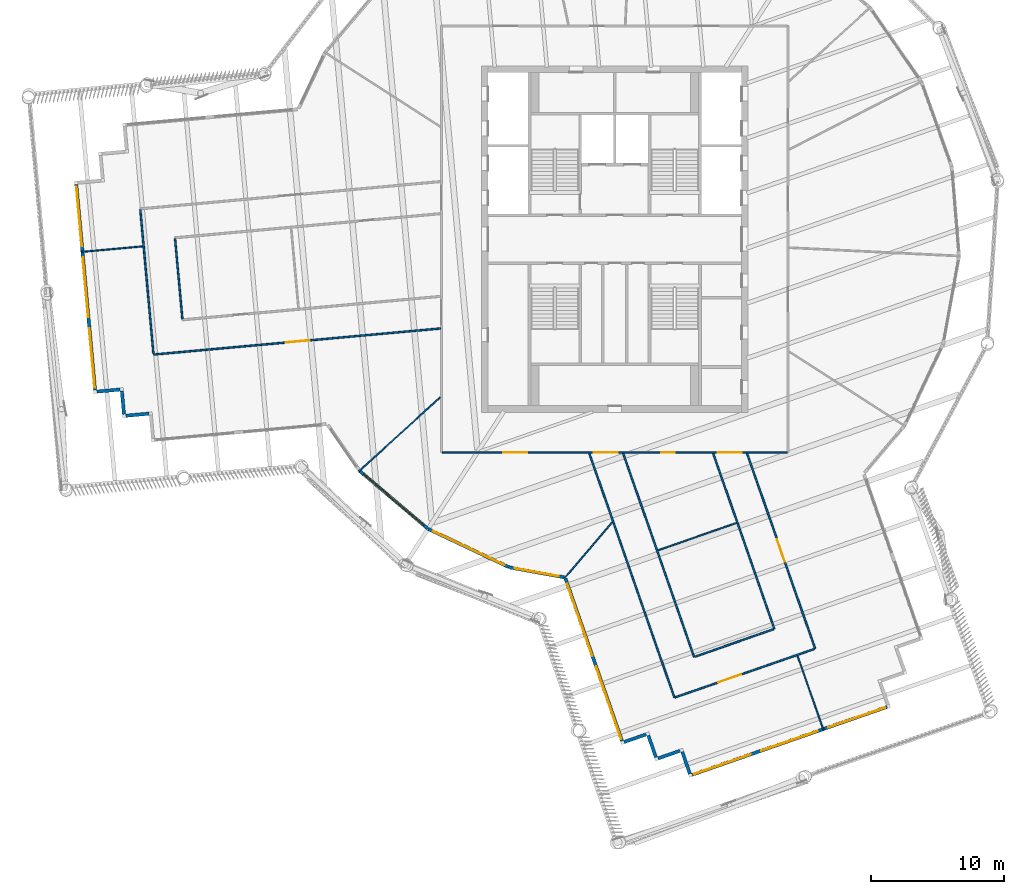
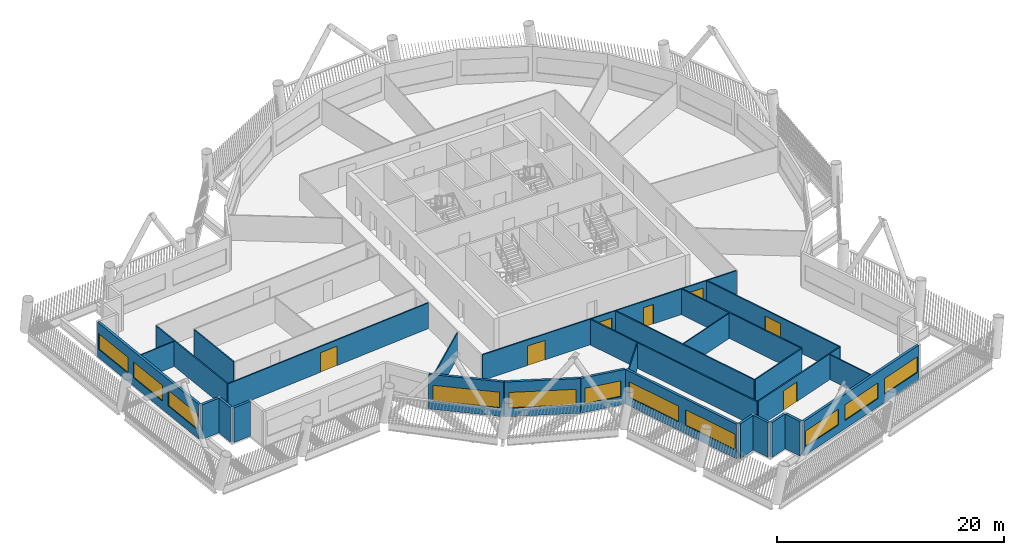
# One storey, part 3 of 23: 28 walls, 11 windows, 7 doors, 18 openings.
"""IFC4 building model written with IfcOpenShell, lengths in metres."""

from ifc_helpers import new_model, si_unit, direction, frame, frame_2d, origin, place, context, subcontext, project, spatial, rectangle, extrude, material, layer, layer_set, type_object, element, fill, save


model = new_model("IFC4")

# Units and contexts
model_context = context("Model", 3, precision=1e-05, world=origin(), true_north=direction((0.0, 1.0)))
body_context = subcontext(model_context, "Body", "Model", "MODEL_VIEW")
ifc_project = project(units=[si_unit("LENGTHUNIT", "METRE"), si_unit("AREAUNIT", "SQUARE_METRE"), si_unit("VOLUMEUNIT", "CUBIC_METRE"), si_unit("PLANEANGLEUNIT", "RADIAN"), si_unit("MASSUNIT", "GRAM", prefix="KILO")], contexts=[model_context])

# Site, building, storey
site_placement = place(None, origin())
site = spatial("IfcSite", under=ifc_project, at=site_placement, CompositionType="ELEMENT")
building_placement = place(site_placement, origin())
building = spatial("IfcBuilding", under=site, at=building_placement, Name="Tarsis Ring Headquarters", CompositionType="ELEMENT")
storey_placement = place(building_placement, frame((0.0, 0.0, 308.0)))
storey = spatial("IfcBuildingStorey", under=building, at=storey_placement, Name="L72", CompositionType="ELEMENT", Elevation=308.0)

# Walls
ifc_material_1 = material(Name="Gypsum board on steel studs", Category="steel")
ifc_layer_1 = layer(ifc_material_1, 0.10009765625)
ifc_layer_set_1 = layer_set([ifc_layer_1], Name="FL partition 100 unrated")
wall_type_1 = type_object("IfcWallType", Name="FL partition 100 unrated", PredefinedType="PARTITIONING", material=ifc_layer_set_1)
wall_1_placement = place(storey_placement, frame((-19.222412109375, -17.4296875, 0.0), z_axis=(0.0, 0.0, 1.0), x_axis=(0.740821402099, 0.671702054628, 0.0)))
element("IfcWall", 1, at=wall_1_placement, inside=storey, type_object=wall_type_1, Name="Partition PW3", PredefinedType="PARTITIONING", context=body_context, shape_type="SweptSolid", body=[
    extrude(rectangle(XDim=8.279296875, YDim=0.10009765625, at=frame_2d((4.1396484375, 0.0))), origin(), (0.0, 0.0, 1.0), 2.699951171875),
])
wall_2_placement = place(storey_placement, frame((3.240478515625, -23.353271484375, 0.0), z_axis=(0.0, 0.0, 1.0), x_axis=(0.944381142072, 0.328852943577, 0.0)))
element("IfcWall", 2, at=wall_2_placement, inside=storey, type_object=wall_type_1, Name="Partition PW3", PredefinedType="PARTITIONING", context=body_context, shape_type="SweptSolid", body=[
    extrude(rectangle(XDim=6.239990234375, YDim=0.10009765625, at=frame_2d((3.1201171875, 0.0))), origin(), (0.0, 0.0, 1.0), 2.699951171875),
])
wall_3_placement = place(storey_placement, frame((13.716064453125, -31.2685546875, 0.0), z_axis=(0.0, 0.0, 1.0), x_axis=(0.32886508129, -0.944376915383, 0.0)))
element("IfcWall", 3, at=wall_3_placement, inside=storey, type_object=wall_type_1, Name="Partition PW3", PredefinedType="PARTITIONING", context=body_context, shape_type="SweptSolid", body=[
    extrude(rectangle(XDim=5.909912109375, YDim=0.10009765625, at=frame_2d((2.955078125, 0.0))), origin(), (0.0, 0.0, 1.0), 2.699951171875),
])
wall_4_placement = place(storey_placement, frame((-3.770263671875, -25.433837890625, 0.0), z_axis=(0.0, 0.0, 1.0), x_axis=(0.650086136568, 0.759860523414, 0.0)))
element("IfcWall", 4, at=wall_4_placement, inside=storey, type_object=wall_type_1, Name="Partition PW3", PredefinedType="PARTITIONING", context=body_context, shape_type="SweptSolid", body=[
    extrude(rectangle(XDim=5.50439453125, YDim=0.10009765625, at=frame_2d((2.752197265625, 0.0))), origin(), (0.0, 0.0, 1.0), 2.699951171875),
])
wall_5_placement = place(storey_placement, frame((-40.027587890625, -0.9619140625, 0.0), z_axis=(0.0, 0.0, 1.0), x_axis=(0.995880202017, 0.090678681241, 0.0)))
element("IfcWall", 5, at=wall_5_placement, inside=storey, type_object=wall_type_1, Name="Partition PW3", PredefinedType="PARTITIONING", context=body_context, shape_type="SweptSolid", body=[
    extrude(rectangle(XDim=4.6201171875, YDim=0.10009765625, at=frame_2d((2.31005859375, 0.0))), origin(), (0.0, 0.0, 1.0), 2.699951171875),
])

# Wall, openings, doors
ifc_layer_2 = layer(ifc_material_1, 0.125)
ifc_layer_set_2 = layer_set([ifc_layer_2], Name="FL partition 125 EI 60 H2770")
wall_type_2 = type_object("IfcWallType", Name="FL partition 125 EI 60 H2770", PredefinedType="PARTITIONING", material=ifc_layer_set_2)
wall_6_placement = place(storey_placement, frame((-12.93994140625, -16.0, 0.0), z_axis=(0.0, 0.0, 1.0), x_axis=(1.0, 0.0, 0.0)))
wall_6 = element("IfcWall", 6, at=wall_6_placement, inside=storey, type_object=wall_type_2, Name="Partition PW1", PredefinedType="PARTITIONING", context=body_context, shape_type="SweptSolid", body=[
    extrude(rectangle(XDim=25.8798828125, YDim=0.125, at=frame_2d((12.93994140625, 0.0))), origin(), (0.0, 0.0, 1.0), 2.77001953125),
])
opening_1_placement = place(wall_6_placement, frame((4.572021484375, 0.0, 0.0)))
opening_1 = element("IfcOpeningElement", 7, at=opening_1_placement, cuts=wall_6, Name="Opening D72.11", PredefinedType="OPENING", context=body_context, shape_type="SweptSolid", body=[
    extrude(rectangle(XDim=1.800048828125, YDim=2.10009765625, at=frame_2d((0.89990234375, 1.050048828125))), frame((0.0, 0.072509765625, 0.0), z_axis=(0.0, -1.0, 0.0), x_axis=(1.0, 0.0, 0.0)), (0.0, 0.0, 1.0), 0.14501953125),
])
opening_2_placement = place(wall_6_placement, frame((16.42333984375, 0.0, 0.0)))
opening_2 = element("IfcOpeningElement", 8, at=opening_2_placement, cuts=wall_6, Name="Opening D72.14", PredefinedType="OPENING", context=body_context, shape_type="SweptSolid", body=[
    extrude(rectangle(XDim=1.0, YDim=2.10009765625, at=frame_2d((0.5, 1.050048828125))), frame((0.0, 0.072509765625, 0.0), z_axis=(0.0, -1.0, 0.0), x_axis=(1.0, 0.0, 0.0)), (0.0, 0.0, 1.0), 0.14501953125),
])
opening_3_placement = place(wall_6_placement, frame((11.375, 0.0, 0.0)))
opening_3 = element("IfcOpeningElement", 9, at=opening_3_placement, cuts=wall_6, Name="Opening D72.15", PredefinedType="OPENING", context=body_context, shape_type="SweptSolid", body=[
    extrude(rectangle(XDim=1.800048828125, YDim=2.10009765625, at=frame_2d((0.89990234375, 1.050048828125))), frame((0.0, 0.072509765625, 0.0), z_axis=(0.0, -1.0, 0.0), x_axis=(1.0, 0.0, 0.0)), (0.0, 0.0, 1.0), 0.14501953125),
])
opening_4_placement = place(wall_6_placement, frame((20.672119140625, 0.0, 0.0)))
opening_4 = element("IfcOpeningElement", 10, at=opening_4_placement, cuts=wall_6, Name="Opening D72.16", PredefinedType="OPENING", context=body_context, shape_type="SweptSolid", body=[
    extrude(rectangle(XDim=1.800048828125, YDim=2.10009765625, at=frame_2d((0.89990234375, 1.050048828125))), frame((0.0, 0.072509765625, 0.0), z_axis=(0.0, -1.0, 0.0), x_axis=(1.0, 0.0, 0.0)), (0.0, 0.0, 1.0), 0.14501953125),
])
ifc_material_2 = material(Name="Fire-rated timber door leaf in steel frame", Category="steel")
door_type_1 = type_object("IfcDoorType", Name="FL door FD60-1000", OperationType="NOTDEFINED", PredefinedType="DOOR", material=ifc_material_2)
door_1_placement = place(opening_2_placement, origin())
door_1 = element("IfcDoor", 11, at=door_1_placement, inside=storey, type_object=door_type_1, Name="Door D72.14", OperationType="SINGLE_SWING_RIGHT", OverallHeight=2.10009765625, OverallWidth=1.0, PredefinedType="DOOR", context=body_context, shape_type="SweptSolid", body=[
    extrude(rectangle(XDim=1.0, YDim=2.10009765625, at=frame_2d((0.5, 1.050048828125))), frame((0.0, 0.02490234375, 0.0), z_axis=(0.0, -1.0, 0.0), x_axis=(1.0, 0.0, 0.0)), (0.0, 0.0, 1.0), 0.050048828125),
])
fill(opening_2, door_1)
door_type_2 = type_object("IfcDoorType", Name="FL door FD60-1800", OperationType="DOUBLE_DOOR_SINGLE_SWING", PredefinedType="DOOR", material=ifc_material_2)
door_2_placement = place(opening_1_placement, origin())
door_2 = element("IfcDoor", 12, at=door_2_placement, inside=storey, type_object=door_type_2, Name="Door D72.11", OperationType="DOUBLE_DOOR_SINGLE_SWING", OverallHeight=2.10009765625, OverallWidth=1.800048828125, PredefinedType="DOOR", context=body_context, shape_type="SweptSolid", body=[
    extrude(rectangle(XDim=1.800048828125, YDim=2.10009765625, at=frame_2d((0.89990234375, 1.050048828125))), frame((0.0, 0.02490234375, 0.0), z_axis=(0.0, -1.0, 0.0), x_axis=(1.0, 0.0, 0.0)), (0.0, 0.0, 1.0), 0.050048828125),
])
fill(opening_1, door_2)
door_3_placement = place(opening_3_placement, origin())
door_3 = element("IfcDoor", 13, at=door_3_placement, inside=storey, type_object=door_type_2, Name="Door D72.15", OperationType="DOUBLE_DOOR_SINGLE_SWING", OverallHeight=2.10009765625, OverallWidth=1.800048828125, PredefinedType="DOOR", context=body_context, shape_type="SweptSolid", body=[
    extrude(rectangle(XDim=1.800048828125, YDim=2.10009765625, at=frame_2d((0.89990234375, 1.050048828125))), frame((0.0, 0.02490234375, 0.0), z_axis=(0.0, -1.0, 0.0), x_axis=(1.0, 0.0, 0.0)), (0.0, 0.0, 1.0), 0.050048828125),
])
fill(opening_3, door_3)
door_4_placement = place(opening_4_placement, origin())
door_4 = element("IfcDoor", 14, at=door_4_placement, inside=storey, type_object=door_type_2, Name="Door D72.16", OperationType="DOUBLE_DOOR_SINGLE_SWING", OverallHeight=2.10009765625, OverallWidth=1.800048828125, PredefinedType="DOOR", context=body_context, shape_type="SweptSolid", body=[
    extrude(rectangle(XDim=1.800048828125, YDim=2.10009765625, at=frame_2d((0.89990234375, 1.050048828125))), frame((0.0, 0.02490234375, 0.0), z_axis=(0.0, -1.0, 0.0), x_axis=(1.0, 0.0, 0.0)), (0.0, 0.0, 1.0), 0.050048828125),
])
fill(opening_4, door_4)

# Wall, opening, door
wall_7_placement = place(storey_placement, frame((-34.6171875, -8.6630859375, 0.0), z_axis=(0.0, 0.0, 1.0), x_axis=(0.995884600494, 0.090630361903, 0.0)))
wall_7 = element("IfcWall", 15, at=wall_7_placement, inside=storey, type_object=wall_type_2, Name="Partition PW1", PredefinedType="PARTITIONING", context=body_context, shape_type="SweptSolid", body=[
    extrude(rectangle(XDim=21.63671875, YDim=0.125, at=frame_2d((10.818359375, 0.0))), origin(), (0.0, 0.0, 1.0), 2.77001953125),
])
opening_5_placement = place(wall_7_placement, frame((9.953369140625, 0.0, 0.0)))
opening_5 = element("IfcOpeningElement", 16, at=opening_5_placement, cuts=wall_7, Name="Opening D72.01", PredefinedType="OPENING", context=body_context, shape_type="SweptSolid", body=[
    extrude(rectangle(XDim=1.800048828125, YDim=2.10009765625, at=frame_2d((0.89990234375, 1.050048828125))), frame((0.0, 0.072509765625, 0.0), z_axis=(0.0, -1.0, 0.0), x_axis=(1.0, 0.0, 0.0)), (0.0, 0.0, 1.0), 0.14501953125),
])
door_5_placement = place(opening_5_placement, origin())
door_5 = element("IfcDoor", 17, at=door_5_placement, inside=storey, type_object=door_type_2, Name="Door D72.01", OperationType="DOUBLE_DOOR_SINGLE_SWING", OverallHeight=2.10009765625, OverallWidth=1.800048828125, PredefinedType="DOOR", context=body_context, shape_type="SweptSolid", body=[
    extrude(rectangle(XDim=1.800048828125, YDim=2.10009765625, at=frame_2d((0.89990234375, 1.050048828125))), frame((0.0, 0.02490234375, 0.0), z_axis=(0.0, -1.0, 0.0), x_axis=(1.0, 0.0, 0.0)), (0.0, 0.0, 1.0), 0.050048828125),
])
fill(opening_5, door_5)

# Walls
wall_8_placement = place(storey_placement, frame((-1.909423828125, -16.07568359375, 0.0), z_axis=(0.0, 0.0, 1.0), x_axis=(0.328870275505, -0.94437510656, 0.0)))
element("IfcWall", 18, at=wall_8_placement, inside=storey, type_object=wall_type_2, Name="Partition PW1", PredefinedType="PARTITIONING", context=body_context, shape_type="SweptSolid", body=[
    extrude(rectangle(XDim=19.41650390625, YDim=0.125, at=frame_2d((9.708251953125, 0.0))), origin(), (0.0, 0.0, 1.0), 2.77001953125),
])
wall_9_placement = place(storey_placement, frame((0.6318359375, -16.07568359375, 0.0), z_axis=(0.0, 0.0, 1.0), x_axis=(0.328869394176, -0.944375413474, 0.0)))
element("IfcWall", 19, at=wall_9_placement, inside=storey, type_object=wall_type_2, Name="Partition PW1", PredefinedType="PARTITIONING", context=body_context, shape_type="SweptSolid", body=[
    extrude(rectangle(XDim=16.1806640625, YDim=0.125, at=frame_2d((8.09033203125, 0.0))), origin(), (0.0, 0.0, 1.0), 2.77001953125),
])

# Wall, opening, door
wall_10_placement = place(storey_placement, frame((9.928955078125, -16.07568359375, 0.0), z_axis=(0.0, 0.0, 1.0), x_axis=(0.328877453635, -0.944372606809, 0.0)))
wall_10 = element("IfcWall", 20, at=wall_10_placement, inside=storey, type_object=wall_type_2, Name="Partition PW1", PredefinedType="PARTITIONING", context=body_context, shape_type="SweptSolid", body=[
    extrude(rectangle(XDim=15.523193359375, YDim=0.125, at=frame_2d((7.76171875, 0.0))), origin(), (0.0, 0.0, 1.0), 2.77001953125),
])
opening_6_placement = place(wall_10_placement, frame((6.82177734375, 0.0, 0.0)))
opening_6 = element("IfcOpeningElement", 21, at=opening_6_placement, cuts=wall_10, Name="Opening D72.09", PredefinedType="OPENING", context=body_context, shape_type="SweptSolid", body=[
    extrude(rectangle(XDim=1.800048828125, YDim=2.10009765625, at=frame_2d((0.89990234375, 1.050048828125))), frame((0.0, 0.072509765625, 0.0), z_axis=(0.0, -1.0, 0.0), x_axis=(1.0, 0.0, 0.0)), (0.0, 0.0, 1.0), 0.14501953125),
])
door_6_placement = place(opening_6_placement, origin())
door_6 = element("IfcDoor", 22, at=door_6_placement, inside=storey, type_object=door_type_2, Name="Door D72.09", OperationType="DOUBLE_DOOR_SINGLE_SWING", OverallHeight=2.10009765625, OverallWidth=1.800048828125, PredefinedType="DOOR", context=body_context, shape_type="SweptSolid", body=[
    extrude(rectangle(XDim=1.800048828125, YDim=2.10009765625, at=frame_2d((0.89990234375, 1.050048828125))), frame((0.0, 0.02490234375, 0.0), z_axis=(0.0, -1.0, 0.0), x_axis=(1.0, 0.0, 0.0)), (0.0, 0.0, 1.0), 0.050048828125),
])
fill(opening_6, door_6)

# Wall
wall_11_placement = place(storey_placement, frame((7.3876953125, -16.07568359375, 0.0), z_axis=(0.0, 0.0, 1.0), x_axis=(0.328860460018, -0.944378524659, 0.0)))
element("IfcWall", 23, at=wall_11_placement, inside=storey, type_object=wall_type_2, Name="Partition PW1", PredefinedType="PARTITIONING", context=body_context, shape_type="SweptSolid", body=[
    extrude(rectangle(XDim=13.958984375, YDim=0.125, at=frame_2d((6.9794921875, 0.0))), origin(), (0.0, 0.0, 1.0), 2.77001953125),
])

# Wall, opening, door
wall_12_placement = place(storey_placement, frame((4.53271484375, -34.392333984375, 0.0), z_axis=(0.0, 0.0, 1.0), x_axis=(0.944375824678, 0.328868213367, 0.0)))
wall_12 = element("IfcWall", 24, at=wall_12_placement, inside=storey, type_object=wall_type_2, Name="Partition PW1", PredefinedType="PARTITIONING", context=body_context, shape_type="SweptSolid", body=[
    extrude(rectangle(XDim=11.059814453125, YDim=0.125, at=frame_2d((5.52978515625, 0.0))), origin(), (0.0, 0.0, 1.0), 2.77001953125),
])
opening_7_placement = place(wall_12_placement, frame((3.429931640625, 0.0, 0.0)))
opening_7 = element("IfcOpeningElement", 25, at=opening_7_placement, cuts=wall_12, Name="Opening D72.10", PredefinedType="OPENING", context=body_context, shape_type="SweptSolid", body=[
    extrude(rectangle(XDim=1.800048828125, YDim=2.10009765625, at=frame_2d((0.89990234375, 1.050048828125))), frame((0.0, 0.072509765625, 0.0), z_axis=(0.0, -1.0, 0.0), x_axis=(1.0, 0.0, 0.0)), (0.0, 0.0, 1.0), 0.14501953125),
])
door_7_placement = place(opening_7_placement, origin())
door_7 = element("IfcDoor", 26, at=door_7_placement, inside=storey, type_object=door_type_2, Name="Door D72.10", OperationType="DOUBLE_DOOR_SINGLE_SWING", OverallHeight=2.10009765625, OverallWidth=1.800048828125, PredefinedType="DOOR", context=body_context, shape_type="SweptSolid", body=[
    extrude(rectangle(XDim=1.800048828125, YDim=2.10009765625, at=frame_2d((0.89990234375, 1.050048828125))), frame((0.0, 0.02490234375, 0.0), z_axis=(0.0, -1.0, 0.0), x_axis=(1.0, 0.0, 0.0)), (0.0, 0.0, 1.0), 0.050048828125),
])
fill(opening_7, door_7)

# Walls
wall_13_placement = place(storey_placement, frame((-35.60693359375, 2.2119140625, 0.0), z_axis=(0.0, 0.0, 1.0), x_axis=(0.090618849829, -0.995885648082, 0.0)))
element("IfcWall", 27, at=wall_13_placement, inside=storey, type_object=wall_type_2, Name="Partition PW1", PredefinedType="PARTITIONING", context=body_context, shape_type="SweptSolid", body=[
    extrude(rectangle(XDim=10.860107421875, YDim=0.125, at=frame_2d((5.43017578125, 0.0))), origin(), (0.0, 0.0, 1.0), 2.77001953125),
])
wall_14_placement = place(storey_placement, frame((6.010009765625, -31.336669921875, 0.0), z_axis=(0.0, 0.0, 1.0), x_axis=(0.944366763791, 0.328894231397, 0.0)))
element("IfcWall", 28, at=wall_14_placement, inside=storey, type_object=wall_type_2, Name="Partition PW1", PredefinedType="PARTITIONING", context=body_context, shape_type="SweptSolid", body=[
    extrude(rectangle(XDim=6.259765625, YDim=0.125, at=frame_2d((3.1298828125, 0.0))), origin(), (0.0, 0.0, 1.0), 2.77001953125),
])
wall_15_placement = place(storey_placement, frame((-32.99951171875, 0.039306640625, 0.0), z_axis=(0.0, 0.0, 1.0), x_axis=(0.090648354166, -0.995882962946, 0.0)))
element("IfcWall", 29, at=wall_15_placement, inside=storey, type_object=wall_type_2, Name="Partition PW1", PredefinedType="PARTITIONING", context=body_context, shape_type="SweptSolid", body=[
    extrude(rectangle(XDim=6.059814453125, YDim=0.125, at=frame_2d((3.02978515625, 0.0))), origin(), (0.0, 0.0, 1.0), 2.77001953125),
])

# Wall, opening, window
ifc_material_3 = material(Name="Terracotta clad insulated panel wall", Category="masonry")
ifc_layer_3 = layer(ifc_material_3, 0.25)
ifc_layer_set_3 = layer_set([ifc_layer_3], Name="Facade wall terracotta panel 250")
wall_type_3 = type_object("IfcWallType", Name="Facade wall terracotta panel 250", PredefinedType="STANDARD", material=ifc_layer_set_3)
wall_16_placement = place(storey_placement, frame((-19.155029296875, -17.390625, 0.0), z_axis=(0.0, 0.0, 1.0), x_axis=(0.762679061927, -0.646777124285, 0.0)))
wall_16 = element("IfcWall", 30, at=wall_16_placement, inside=storey, type_object=wall_type_3, Name="External wall L72-03", PredefinedType="STANDARD", context=body_context, shape_type="SweptSolid", body=[
    extrude(rectangle(XDim=6.7216796875, YDim=0.25, at=frame_2d((3.36083984375, 0.0))), origin(), (0.0, 0.0, 1.0), 3.739990234375),
])
opening_8_placement = place(wall_16_placement, frame((0.3857421875, 0.0, 0.89990234375)))
opening_8 = element("IfcOpeningElement", 31, at=opening_8_placement, cuts=wall_16, Name="Opening WN07", PredefinedType="OPENING", context=body_context, shape_type="SweptSolid", body=[
    extrude(rectangle(XDim=5.949951171875, YDim=1.699951171875, at=frame_2d((2.97509765625, 0.85009765625))), frame((0.0, 0.135009765625, 0.0), z_axis=(0.0, -1.0, 0.0), x_axis=(1.0, 0.0, 0.0)), (0.0, 0.0, 1.0), 0.27001953125),
])
ifc_material_4 = material(Name="Aluminium framed double glazing", Category="aluminium")
window_type_1 = type_object("IfcWindowType", Name="Facade window 5950 x 1700", PartitioningType="SINGLE_PANEL", PredefinedType="WINDOW", material=ifc_material_4)
window_1_placement = place(opening_8_placement, origin())
window_1 = element("IfcWindow", 32, at=window_1_placement, inside=storey, type_object=window_type_1, Name="Window L72-03.1", OverallHeight=1.699951171875, OverallWidth=5.949951171875, PartitioningType="SINGLE_PANEL", PredefinedType="WINDOW", context=body_context, shape_type="SweptSolid", body=[
    extrude(rectangle(XDim=5.949951171875, YDim=1.699951171875, at=frame_2d((2.97509765625, 0.85009765625))), frame((0.0, 0.030029296875, 0.0), z_axis=(0.0, -1.0, 0.0), x_axis=(1.0, 0.0, 0.0)), (0.0, 0.0, 1.0), 0.06005859375),
])
fill(opening_8, window_1)

wall_17_placement = place(storey_placement, frame((-14.001220703125, -21.755859375, 0.0), z_axis=(0.0, 0.0, 1.0), x_axis=(0.904095485459, -0.427330496422, 0.0)))
wall_17 = element("IfcWall", 33, at=wall_17_placement, inside=storey, type_object=wall_type_3, Name="External wall L72-04", PredefinedType="STANDARD", context=body_context, shape_type="SweptSolid", body=[
    extrude(rectangle(XDim=6.721435546875, YDim=0.25, at=frame_2d((3.36083984375, 0.0))), origin(), (0.0, 0.0, 1.0), 3.739990234375),
])
opening_9_placement = place(wall_17_placement, frame((0.3857421875, 0.0, 0.89990234375)))
opening_9 = element("IfcOpeningElement", 34, at=opening_9_placement, cuts=wall_17, Name="Opening WN07", PredefinedType="OPENING", context=body_context, shape_type="SweptSolid", body=[
    extrude(rectangle(XDim=5.949951171875, YDim=1.699951171875, at=frame_2d((2.97509765625, 0.85009765625))), frame((0.0, 0.135009765625, 0.0), z_axis=(0.0, -1.0, 0.0), x_axis=(1.0, 0.0, 0.0)), (0.0, 0.0, 1.0), 0.27001953125),
])
window_2_placement = place(opening_9_placement, origin())
window_2 = element("IfcWindow", 35, at=window_2_placement, inside=storey, type_object=window_type_1, Name="Window L72-04.1", OverallHeight=1.699951171875, OverallWidth=5.949951171875, PartitioningType="SINGLE_PANEL", PredefinedType="WINDOW", context=body_context, shape_type="SweptSolid", body=[
    extrude(rectangle(XDim=5.949951171875, YDim=1.699951171875, at=frame_2d((2.97509765625, 0.85009765625))), frame((0.0, 0.030029296875, 0.0), z_axis=(0.0, -1.0, 0.0), x_axis=(1.0, 0.0, 0.0)), (0.0, 0.0, 1.0), 0.06005859375),
])
fill(opening_9, window_2)

wall_18_placement = place(storey_placement, frame((-7.893310546875, -24.63818359375, 0.0), z_axis=(0.0, 0.0, 1.0), x_axis=(0.983884000282, -0.17880792485, 0.0)))
wall_18 = element("IfcWall", 36, at=wall_18_placement, inside=storey, type_object=wall_type_3, Name="External wall L72-05", PredefinedType="STANDARD", context=body_context, shape_type="SweptSolid", body=[
    extrude(rectangle(XDim=4.157470703125, YDim=0.25, at=frame_2d((2.07861328125, 0.0))), origin(), (0.0, 0.0, 1.0), 3.739990234375),
])
opening_10_placement = place(wall_18_placement, frame((0.38720703125, 0.0, 0.89990234375)))
opening_10 = element("IfcOpeningElement", 37, at=opening_10_placement, cuts=wall_18, Name="Opening WN01", PredefinedType="OPENING", context=body_context, shape_type="SweptSolid", body=[
    extrude(rectangle(XDim=3.35009765625, YDim=1.699951171875, at=frame_2d((1.675048828125, 0.85009765625))), frame((0.0, 0.135009765625, 0.0), z_axis=(0.0, -1.0, 0.0), x_axis=(1.0, 0.0, 0.0)), (0.0, 0.0, 1.0), 0.27001953125),
])
window_type_2 = type_object("IfcWindowType", Name="Facade window 3350 x 1700", PartitioningType="SINGLE_PANEL", PredefinedType="WINDOW", material=ifc_material_4)
window_3_placement = place(opening_10_placement, origin())
window_3 = element("IfcWindow", 38, at=window_3_placement, inside=storey, type_object=window_type_2, Name="Window L72-05.1", OverallHeight=1.699951171875, OverallWidth=3.35009765625, PartitioningType="SINGLE_PANEL", PredefinedType="WINDOW", context=body_context, shape_type="SweptSolid", body=[
    extrude(rectangle(XDim=3.35009765625, YDim=1.699951171875, at=frame_2d((1.675048828125, 0.85009765625))), frame((0.0, 0.030029296875, 0.0), z_axis=(0.0, -1.0, 0.0), x_axis=(1.0, 0.0, 0.0)), (0.0, 0.0, 1.0), 0.06005859375),
])
fill(opening_10, window_3)

# Wall, openings, windows
wall_19_placement = place(storey_placement, frame((-3.70703125, -25.463623046875, 0.0), z_axis=(0.0, 0.0, 1.0), x_axis=(0.328862090247, -0.944377956963, 0.0)))
wall_19 = element("IfcWall", 39, at=wall_19_placement, inside=storey, type_object=wall_type_3, Name="External wall L72-06", PredefinedType="STANDARD", context=body_context, shape_type="SweptSolid", body=[
    extrude(rectangle(XDim=12.921875, YDim=0.25, at=frame_2d((6.4609375, 0.0))), origin(), (0.0, 0.0, 1.0), 3.739990234375),
])
opening_11_placement = place(wall_19_placement, frame((0.41796875, 0.0, 0.89990234375)))
opening_11 = element("IfcOpeningElement", 40, at=opening_11_placement, cuts=wall_19, Name="Opening WN06", PredefinedType="OPENING", context=body_context, shape_type="SweptSolid", body=[
    extrude(rectangle(XDim=5.75, YDim=1.699951171875, at=frame_2d((2.875, 0.85009765625))), frame((0.0, 0.135009765625, 0.0), z_axis=(0.0, -1.0, 0.0), x_axis=(1.0, 0.0, 0.0)), (0.0, 0.0, 1.0), 0.27001953125),
])
opening_12_placement = place(wall_19_placement, frame((7.00390625, 0.0, 0.89990234375)))
opening_12 = element("IfcOpeningElement", 41, at=opening_12_placement, cuts=wall_19, Name="Opening WN06", PredefinedType="OPENING", context=body_context, shape_type="SweptSolid", body=[
    extrude(rectangle(XDim=5.75, YDim=1.699951171875, at=frame_2d((2.875, 0.85009765625))), frame((0.0, 0.135009765625, 0.0), z_axis=(0.0, -1.0, 0.0), x_axis=(1.0, 0.0, 0.0)), (0.0, 0.0, 1.0), 0.27001953125),
])
window_type_3 = type_object("IfcWindowType", Name="Facade window 5750 x 1700", PartitioningType="SINGLE_PANEL", PredefinedType="WINDOW", material=ifc_material_4)
window_4_placement = place(opening_11_placement, origin())
window_4 = element("IfcWindow", 42, at=window_4_placement, inside=storey, type_object=window_type_3, Name="Window L72-06.1", OverallHeight=1.699951171875, OverallWidth=5.75, PartitioningType="SINGLE_PANEL", PredefinedType="WINDOW", context=body_context, shape_type="SweptSolid", body=[
    extrude(rectangle(XDim=5.75, YDim=1.699951171875, at=frame_2d((2.875, 0.85009765625))), frame((0.0, 0.030029296875, 0.0), z_axis=(0.0, -1.0, 0.0), x_axis=(1.0, 0.0, 0.0)), (0.0, 0.0, 1.0), 0.06005859375),
])
fill(opening_11, window_4)
window_5_placement = place(opening_12_placement, origin())
window_5 = element("IfcWindow", 43, at=window_5_placement, inside=storey, type_object=window_type_3, Name="Window L72-06.2", OverallHeight=1.699951171875, OverallWidth=5.75, PartitioningType="SINGLE_PANEL", PredefinedType="WINDOW", context=body_context, shape_type="SweptSolid", body=[
    extrude(rectangle(XDim=5.75, YDim=1.699951171875, at=frame_2d((2.875, 0.85009765625))), frame((0.0, 0.030029296875, 0.0), z_axis=(0.0, -1.0, 0.0), x_axis=(1.0, 0.0, 0.0)), (0.0, 0.0, 1.0), 0.06005859375),
])
fill(opening_12, window_5)

# Walls
for number, where, z_axis, x_axis, name in (
    (44, (0.70166015625, -37.74365234375, 0.0), (0.0, 0.0, 1.0), (0.944385694376, 0.328839870238, 0.0), "External wall L72-07"),
    (45, (2.513427734375, -37.2451171875, 0.0), (0.0, 0.0, 1.0), (0.328964291269, -0.944342361154, 0.0), "External wall L72-08"),
):
    element("IfcWall", number, at=place(storey_placement, frame(where, z_axis=z_axis, x_axis=x_axis)), inside=storey, type_object=wall_type_3, Name=name, PredefinedType="STANDARD", context=body_context, shape_type="SweptSolid", body=[
        extrude(rectangle(XDim=1.75, YDim=0.25, at=frame_2d((0.875, 0.0))), origin(), (0.0, 0.0, 1.0), 3.739990234375),
    ])
for number, where, z_axis, x_axis, name in (
    (46, (3.248046875, -38.974609375, 0.0), (0.0, 0.0, 1.0), (0.94440077808, 0.328796548587, 0.0), "External wall L72-09"),
    (47, (5.06005859375, -38.47607421875, 0.0), (0.0, 0.0, 1.0), (0.328796548587, -0.94440077808, 0.0), "External wall L72-10"),
):
    element("IfcWall", number, at=place(storey_placement, frame(where, z_axis=z_axis, x_axis=x_axis)), inside=storey, type_object=wall_type_3, Name=name, PredefinedType="STANDARD", context=body_context, shape_type="SweptSolid", body=[
        extrude(rectangle(XDim=1.750244140625, YDim=0.25, at=frame_2d((0.875, 0.0))), origin(), (0.0, 0.0, 1.0), 3.739990234375),
    ])

# Wall, openings, windows
wall_20_placement = place(storey_placement, frame((5.794677734375, -40.205810546875, 0.0), z_axis=(0.0, 0.0, 1.0), x_axis=(0.94437582342, 0.328868216979, 0.0)))
wall_20 = element("IfcWall", 48, at=wall_20_placement, inside=storey, type_object=wall_type_3, Name="External wall L72-11", PredefinedType="STANDARD", context=body_context, shape_type="SweptSolid", body=[
    extrude(rectangle(XDim=15.499755859375, YDim=0.25, at=frame_2d((7.75, 0.0))), origin(), (0.0, 0.0, 1.0), 3.739990234375),
])
opening_13_placement = place(wall_20_placement, frame((0.166748046875, 0.0, 0.89990234375)))
opening_13 = element("IfcOpeningElement", 49, at=opening_13_placement, cuts=wall_20, Name="Opening WN04", PredefinedType="OPENING", context=body_context, shape_type="SweptSolid", body=[
    extrude(rectangle(XDim=4.5, YDim=1.699951171875, at=frame_2d((2.25, 0.85009765625))), frame((0.0, 0.135009765625, 0.0), z_axis=(0.0, -1.0, 0.0), x_axis=(1.0, 0.0, 0.0)), (0.0, 0.0, 1.0), 0.27001953125),
])
opening_14_placement = place(wall_20_placement, frame((5.5, 0.0, 0.89990234375)))
opening_14 = element("IfcOpeningElement", 50, at=opening_14_placement, cuts=wall_20, Name="Opening WN04", PredefinedType="OPENING", context=body_context, shape_type="SweptSolid", body=[
    extrude(rectangle(XDim=4.5, YDim=1.699951171875, at=frame_2d((2.25, 0.85009765625))), frame((0.0, 0.135009765625, 0.0), z_axis=(0.0, -1.0, 0.0), x_axis=(1.0, 0.0, 0.0)), (0.0, 0.0, 1.0), 0.27001953125),
])
opening_15_placement = place(wall_20_placement, frame((10.833251953125, 0.0, 0.89990234375)))
opening_15 = element("IfcOpeningElement", 51, at=opening_15_placement, cuts=wall_20, Name="Opening WN04", PredefinedType="OPENING", context=body_context, shape_type="SweptSolid", body=[
    extrude(rectangle(XDim=4.5, YDim=1.699951171875, at=frame_2d((2.25, 0.85009765625))), frame((0.0, 0.135009765625, 0.0), z_axis=(0.0, -1.0, 0.0), x_axis=(1.0, 0.0, 0.0)), (0.0, 0.0, 1.0), 0.27001953125),
])
window_type_4 = type_object("IfcWindowType", Name="Facade window 4500 x 1700", PartitioningType="SINGLE_PANEL", PredefinedType="WINDOW", material=ifc_material_4)
window_6_placement = place(opening_13_placement, origin())
window_6 = element("IfcWindow", 52, at=window_6_placement, inside=storey, type_object=window_type_4, Name="Window L72-11.1", OverallHeight=1.699951171875, OverallWidth=4.5, PartitioningType="SINGLE_PANEL", PredefinedType="WINDOW", context=body_context, shape_type="SweptSolid", body=[
    extrude(rectangle(XDim=4.5, YDim=1.699951171875, at=frame_2d((2.25, 0.85009765625))), frame((0.0, 0.030029296875, 0.0), z_axis=(0.0, -1.0, 0.0), x_axis=(1.0, 0.0, 0.0)), (0.0, 0.0, 1.0), 0.06005859375),
])
fill(opening_13, window_6)
window_7_placement = place(opening_14_placement, origin())
window_7 = element("IfcWindow", 53, at=window_7_placement, inside=storey, type_object=window_type_4, Name="Window L72-11.2", OverallHeight=1.699951171875, OverallWidth=4.5, PartitioningType="SINGLE_PANEL", PredefinedType="WINDOW", context=body_context, shape_type="SweptSolid", body=[
    extrude(rectangle(XDim=4.5, YDim=1.699951171875, at=frame_2d((2.25, 0.85009765625))), frame((0.0, 0.030029296875, 0.0), z_axis=(0.0, -1.0, 0.0), x_axis=(1.0, 0.0, 0.0)), (0.0, 0.0, 1.0), 0.06005859375),
])
fill(opening_14, window_7)
window_8_placement = place(opening_15_placement, origin())
window_8 = element("IfcWindow", 54, at=window_8_placement, inside=storey, type_object=window_type_4, Name="Window L72-11.3", OverallHeight=1.699951171875, OverallWidth=4.5, PartitioningType="SINGLE_PANEL", PredefinedType="WINDOW", context=body_context, shape_type="SweptSolid", body=[
    extrude(rectangle(XDim=4.5, YDim=1.699951171875, at=frame_2d((2.25, 0.85009765625))), frame((0.0, 0.030029296875, 0.0), z_axis=(0.0, -1.0, 0.0), x_axis=(1.0, 0.0, 0.0)), (0.0, 0.0, 1.0), 0.06005859375),
])
fill(opening_15, window_8)

wall_21_placement = place(storey_placement, frame((-40.413330078125, 4.104248046875, 0.0), z_axis=(0.0, 0.0, 1.0), x_axis=(0.090630896787, -0.995884551817, 0.0)))
wall_21 = element("IfcWall", 55, at=wall_21_placement, inside=storey, type_object=wall_type_3, Name="External wall L72-36", PredefinedType="STANDARD", context=body_context, shape_type="SweptSolid", body=[
    extrude(rectangle(XDim=15.5, YDim=0.25, at=frame_2d((7.75, 0.0))), origin(), (0.0, 0.0, 1.0), 3.739990234375),
])
opening_16_placement = place(wall_21_placement, frame((0.166748046875, 0.0, 0.89990234375)))
opening_16 = element("IfcOpeningElement", 56, at=opening_16_placement, cuts=wall_21, Name="Opening WN04", PredefinedType="OPENING", context=body_context, shape_type="SweptSolid", body=[
    extrude(rectangle(XDim=4.5, YDim=1.699951171875, at=frame_2d((2.25, 0.85009765625))), frame((0.0, 0.135009765625, 0.0), z_axis=(0.0, -1.0, 0.0), x_axis=(1.0, 0.0, 0.0)), (0.0, 0.0, 1.0), 0.27001953125),
])
opening_17_placement = place(wall_21_placement, frame((5.5, 0.0, 0.89990234375)))
opening_17 = element("IfcOpeningElement", 57, at=opening_17_placement, cuts=wall_21, Name="Opening WN04", PredefinedType="OPENING", context=body_context, shape_type="SweptSolid", body=[
    extrude(rectangle(XDim=4.5, YDim=1.699951171875, at=frame_2d((2.25, 0.85009765625))), frame((0.0, 0.135009765625, 0.0), z_axis=(0.0, -1.0, 0.0), x_axis=(1.0, 0.0, 0.0)), (0.0, 0.0, 1.0), 0.27001953125),
])
opening_18_placement = place(wall_21_placement, frame((10.833251953125, 0.0, 0.89990234375)))
opening_18 = element("IfcOpeningElement", 58, at=opening_18_placement, cuts=wall_21, Name="Opening WN04", PredefinedType="OPENING", context=body_context, shape_type="SweptSolid", body=[
    extrude(rectangle(XDim=4.5, YDim=1.699951171875, at=frame_2d((2.25, 0.85009765625))), frame((0.0, 0.135009765625, 0.0), z_axis=(0.0, -1.0, 0.0), x_axis=(1.0, 0.0, 0.0)), (0.0, 0.0, 1.0), 0.27001953125),
])
window_9_placement = place(opening_16_placement, origin())
window_9 = element("IfcWindow", 59, at=window_9_placement, inside=storey, type_object=window_type_4, Name="Window L72-36.1", OverallHeight=1.699951171875, OverallWidth=4.5, PartitioningType="SINGLE_PANEL", PredefinedType="WINDOW", context=body_context, shape_type="SweptSolid", body=[
    extrude(rectangle(XDim=4.5, YDim=1.699951171875, at=frame_2d((2.25, 0.85009765625))), frame((0.0, 0.030029296875, 0.0), z_axis=(0.0, -1.0, 0.0), x_axis=(1.0, 0.0, 0.0)), (0.0, 0.0, 1.0), 0.06005859375),
])
fill(opening_16, window_9)
window_10_placement = place(opening_17_placement, origin())
window_10 = element("IfcWindow", 60, at=window_10_placement, inside=storey, type_object=window_type_4, Name="Window L72-36.2", OverallHeight=1.699951171875, OverallWidth=4.5, PartitioningType="SINGLE_PANEL", PredefinedType="WINDOW", context=body_context, shape_type="SweptSolid", body=[
    extrude(rectangle(XDim=4.5, YDim=1.699951171875, at=frame_2d((2.25, 0.85009765625))), frame((0.0, 0.030029296875, 0.0), z_axis=(0.0, -1.0, 0.0), x_axis=(1.0, 0.0, 0.0)), (0.0, 0.0, 1.0), 0.06005859375),
])
fill(opening_17, window_10)
window_11_placement = place(opening_18_placement, origin())
window_11 = element("IfcWindow", 61, at=window_11_placement, inside=storey, type_object=window_type_4, Name="Window L72-36.3", OverallHeight=1.699951171875, OverallWidth=4.5, PartitioningType="SINGLE_PANEL", PredefinedType="WINDOW", context=body_context, shape_type="SweptSolid", body=[
    extrude(rectangle(XDim=4.5, YDim=1.699951171875, at=frame_2d((2.25, 0.85009765625))), frame((0.0, 0.030029296875, 0.0), z_axis=(0.0, -1.0, 0.0), x_axis=(1.0, 0.0, 0.0)), (0.0, 0.0, 1.0), 0.06005859375),
])
fill(opening_18, window_11)

# Walls
for number, where, z_axis, x_axis, name in (
    (62, (-38.87255859375, -11.4453125, 0.0), (0.0, 0.0, 1.0), (0.995879471945, 0.090686698902, 0.0), "External wall L72-37"),
    (63, (-36.994140625, -11.39990234375, 0.0), (0.0, 0.0, 1.0), (0.090686698902, -0.995879471945, 0.0), "External wall L72-38"),
):
    element("IfcWall", number, at=place(storey_placement, frame(where, z_axis=z_axis, x_axis=x_axis)), inside=storey, type_object=wall_type_3, Name=name, PredefinedType="STANDARD", context=body_context, shape_type="SweptSolid", body=[
        extrude(rectangle(XDim=1.75, YDim=0.25, at=frame_2d((0.875, 0.0))), origin(), (0.0, 0.0, 1.0), 3.739990234375),
    ])
wall_22_placement = place(storey_placement, frame((-36.69970703125, -13.255859375, 0.0), z_axis=(0.0, 0.0, 1.0), x_axis=(0.995880619113, 0.090674100353, 0.0)))
element("IfcWall", 64, at=wall_22_placement, inside=storey, type_object=wall_type_3, Name="External wall L72-39", PredefinedType="STANDARD", context=body_context, shape_type="SweptSolid", body=[
    extrude(rectangle(XDim=1.750244140625, YDim=0.25, at=frame_2d((0.875, 0.0))), origin(), (0.0, 0.0, 1.0), 3.739990234375),
])

save(model, "model.ifc")
